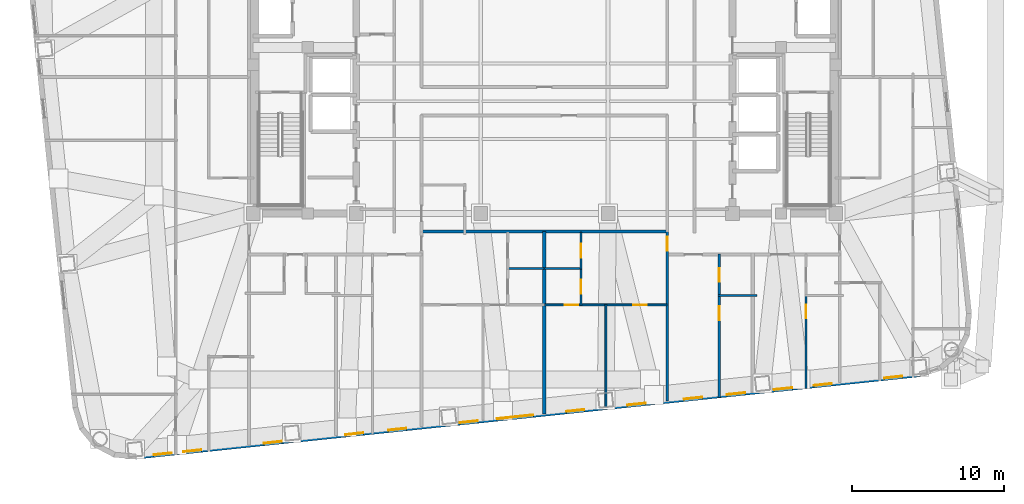
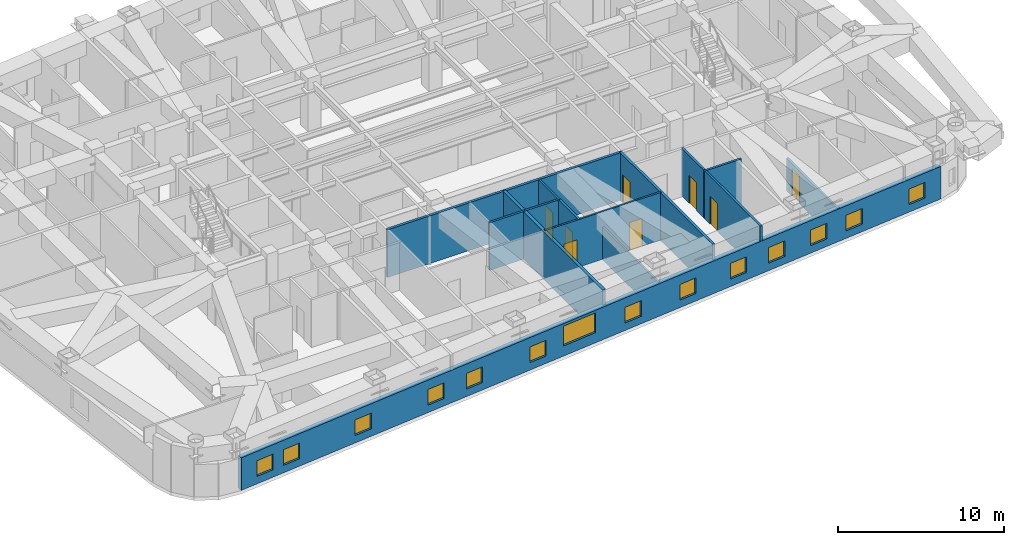
# One storey, part 6 of 13: 14 walls, 14 windows, 8 doors, 22 openings.
"""IFC4 building model written with IfcOpenShell, lengths in metres."""

from ifc_helpers import new_model, si_unit, direction, frame, frame_2d, origin, place, context, subcontext, project, spatial, rectangle, extrude, material, layer, layer_set, type_object, element, fill, save


model = new_model("IFC4")

# Units and contexts
model_context = context("Model", 3, precision=1e-05, world=origin(), true_north=direction((0.0, 1.0)))
body_context = subcontext(model_context, "Body", "Model", "MODEL_VIEW")
ifc_project = project(units=[si_unit("LENGTHUNIT", "METRE"), si_unit("AREAUNIT", "SQUARE_METRE"), si_unit("VOLUMEUNIT", "CUBIC_METRE"), si_unit("PLANEANGLEUNIT", "RADIAN"), si_unit("MASSUNIT", "GRAM", prefix="KILO")], contexts=[model_context])

# Site, building, storey
site_placement = place(None, origin())
site = spatial("IfcSite", under=ifc_project, at=site_placement, CompositionType="ELEMENT")
building_placement = place(site_placement, origin())
building = spatial("IfcBuilding", under=site, at=building_placement, Name="Voryun Gate Residences", CompositionType="ELEMENT")
storey_placement = place(building_placement, frame((0.0, 0.0, 191.10009765625)))
storey = spatial("IfcBuildingStorey", under=building, at=storey_placement, Name="L47", CompositionType="ELEMENT", Elevation=191.10009765625)

# Wall
ifc_material_1 = material(Name="Gypsum acoustic fireboard")
ifc_layer_1 = layer(ifc_material_1, 0.179931640625, Name="W_CORR_RATED_180")
ifc_layer_set_1 = layer_set([ifc_layer_1], Name="Gypsum acoustic fireboard")
wall_type_1 = type_object("IfcWallType", Name="W_CORR_RATED_180", PredefinedType="PARTITIONING", material=ifc_layer_set_1)
wall_1_placement = place(storey_placement, frame((-8.14990234375, -8.590087890625, 0.0), z_axis=(0.0, 0.0, 1.0), x_axis=(1.0, 0.0, 0.0)))
element("IfcWall", 1, at=wall_1_placement, inside=storey, type_object=wall_type_1, Name="Partition wall WP-L47-Z2S", PredefinedType="PARTITIONING", context=body_context, shape_type="SweptSolid", body=[
    extrude(rectangle(XDim=16.2998046875, YDim=0.179931640625, at=frame_2d((8.14990234375, 0.0))), origin(), (0.0, 0.0, 1.0), 3.5),
])

# Wall, opening, door
wall_2_placement = place(storey_placement, frame((8.10009765625, -19.75390625, 0.0), z_axis=(0.0, 0.0, 1.0), x_axis=(0.0, 1.0, 0.0)))
wall_2 = element("IfcWall", 2, at=wall_2_placement, inside=storey, type_object=wall_type_1, Name="Partition wall WP-L47-SZV-2", PredefinedType="PARTITIONING", context=body_context, shape_type="SweptSolid", body=[
    extrude(rectangle(XDim=11.163818359375, YDim=0.179931640625, at=frame_2d((5.58203125, 0.0))), origin(), (0.0, 0.0, 1.0), 3.5),
])
opening_1_placement = place(wall_2_placement, frame((9.913330078125, 0.0, 0.0)))
opening_1 = element("IfcOpeningElement", 3, at=opening_1_placement, cuts=wall_2, Name="Opening D-INT-2", PredefinedType="OPENING", context=body_context, shape_type="SweptSolid", body=[
    extrude(rectangle(XDim=0.89990234375, YDim=2.050048828125, at=frame_2d((0.449951171875, 1.02490234375))), frame((0.0, 0.099853515625, 0.0), z_axis=(0.0, -1.0, 0.0), x_axis=(1.0, 0.0, 0.0)), (0.0, 0.0, 1.0), 0.199951171875),
])
ifc_material_2 = material(Name="Architectural oak veneer")
door_type = type_object("IfcDoorType", Name="DR_INT_BATH_900", OperationType="NOTDEFINED", PredefinedType="DOOR", material=ifc_material_2)
door_1_placement = place(opening_1_placement, origin())
door_1 = element("IfcDoor", 4, at=door_1_placement, inside=storey, type_object=door_type, Name="Door DR-L47-SZENT-2", OperationType="SINGLE_SWING_RIGHT", OverallHeight=2.050048828125, OverallWidth=0.89990234375, PredefinedType="DOOR", context=body_context, shape_type="SweptSolid", body=[
    extrude(rectangle(XDim=0.89990234375, YDim=2.050048828125, at=frame_2d((0.449951171875, 1.02490234375))), frame((0.0, 0.02490234375, 0.0), z_axis=(0.0, -1.0, 0.0), x_axis=(1.0, 0.0, 0.0)), (0.0, 0.0, 1.0), 0.050048828125),
])
fill(opening_1, door_1)

# Wall, openings, windows
ifc_material_3 = material(Name="Charcoal terracotta masonry", Category="masonry")
ifc_layer_2 = layer(ifc_material_3, 0.340087890625, Name="W_EXT_TERRACOTTA_340")
ifc_layer_set_2 = layer_set([ifc_layer_2], Name="Charcoal terracotta masonry")
wall_type_2 = type_object("IfcWallType", Name="W_EXT_TERRACOTTA_340", PredefinedType="ELEMENTEDWALL", material=ifc_layer_set_2)
wall_3_placement = place(storey_placement, frame((24.755615234375, -18.003173828125, 0.0), z_axis=(0.0, 0.0, 1.0), x_axis=(-0.99452160744, -0.104531202687, 0.0)))
wall_3 = element("IfcWall", 5, at=wall_3_placement, inside=storey, type_object=wall_type_2, Name="Exterior wall WEXT-L47-01", PredefinedType="ELEMENTEDWALL", context=body_context, shape_type="SweptSolid", body=[
    extrude(rectangle(XDim=51.966552734375, YDim=0.340087890625, at=frame_2d((25.9833984375, 0.0))), origin(), (0.0, 0.0, 1.0), 2.389892578125),
])
opening_2_placement = place(wall_3_placement, frame((25.63330078125, 0.0, 0.75)))
opening_2 = element("IfcOpeningElement", 6, at=opening_2_placement, cuts=wall_3, Name="Opening WN2", PredefinedType="OPENING", context=body_context, shape_type="SweptSolid", body=[
    extrude(rectangle(XDim=2.39990234375, YDim=1.449951171875, at=frame_2d((1.199951171875, 0.72509765625))), frame((0.0, 0.179931640625, 0.0), z_axis=(0.0, -1.0, 0.0), x_axis=(1.0, 0.0, 0.0)), (0.0, 0.0, 1.0), 0.360107421875),
])
opening_3_placement = place(wall_3_placement, frame((42.301025390625, 0.0, 0.550048828125)))
opening_3 = element("IfcOpeningElement", 7, at=opening_3_placement, cuts=wall_3, Name="Opening WN6", PredefinedType="OPENING", context=body_context, shape_type="SweptSolid", body=[
    extrude(rectangle(XDim=1.199951171875, YDim=1.14990234375, at=frame_2d((0.60009765625, 0.574951171875))), frame((0.0, 0.179931640625, 0.0), z_axis=(0.0, -1.0, 0.0), x_axis=(1.0, 0.0, 0.0)), (0.0, 0.0, 1.0), 0.360107421875),
])
opening_4_placement = place(wall_3_placement, frame((34.048583984375, 0.0, 0.550048828125)))
opening_4 = element("IfcOpeningElement", 8, at=opening_4_placement, cuts=wall_3, Name="Opening WN6", PredefinedType="OPENING", context=body_context, shape_type="SweptSolid", body=[
    extrude(rectangle(XDim=1.199951171875, YDim=1.14990234375, at=frame_2d((0.60009765625, 0.574951171875))), frame((0.0, 0.179931640625, 0.0), z_axis=(0.0, -1.0, 0.0), x_axis=(1.0, 0.0, 0.0)), (0.0, 0.0, 1.0), 0.360107421875),
])
opening_5_placement = place(wall_3_placement, frame((36.89404296875, 0.0, 0.550048828125)))
opening_5 = element("IfcOpeningElement", 9, at=opening_5_placement, cuts=wall_3, Name="Opening WN6", PredefinedType="OPENING", context=body_context, shape_type="SweptSolid", body=[
    extrude(rectangle(XDim=1.199951171875, YDim=1.14990234375, at=frame_2d((0.60009765625, 0.574951171875))), frame((0.0, 0.179931640625, 0.0), z_axis=(0.0, -1.0, 0.0), x_axis=(1.0, 0.0, 0.0)), (0.0, 0.0, 1.0), 0.360107421875),
])
opening_6_placement = place(wall_3_placement, frame((14.43603515625, 0.0, 0.550048828125)))
opening_6 = element("IfcOpeningElement", 10, at=opening_6_placement, cuts=wall_3, Name="Opening WN6", PredefinedType="OPENING", context=body_context, shape_type="SweptSolid", body=[
    extrude(rectangle(XDim=1.199951171875, YDim=1.14990234375, at=frame_2d((0.60009765625, 0.574951171875))), frame((0.0, 0.179931640625, 0.0), z_axis=(0.0, -1.0, 0.0), x_axis=(1.0, 0.0, 0.0)), (0.0, 0.0, 1.0), 0.360107421875),
])
opening_7_placement = place(wall_3_placement, frame((11.590576171875, 0.0, 0.550048828125)))
opening_7 = element("IfcOpeningElement", 11, at=opening_7_placement, cuts=wall_3, Name="Opening WN6", PredefinedType="OPENING", context=body_context, shape_type="SweptSolid", body=[
    extrude(rectangle(XDim=1.199951171875, YDim=1.14990234375, at=frame_2d((0.60009765625, 0.574951171875))), frame((0.0, 0.179931640625, 0.0), z_axis=(0.0, -1.0, 0.0), x_axis=(1.0, 0.0, 0.0)), (0.0, 0.0, 1.0), 0.360107421875),
])
opening_8_placement = place(wall_3_placement, frame((8.46923828125, 0.0, 0.550048828125)))
opening_8 = element("IfcOpeningElement", 12, at=opening_8_placement, cuts=wall_3, Name="Opening WN6", PredefinedType="OPENING", context=body_context, shape_type="SweptSolid", body=[
    extrude(rectangle(XDim=1.199951171875, YDim=1.14990234375, at=frame_2d((0.60009765625, 0.574951171875))), frame((0.0, 0.179931640625, 0.0), z_axis=(0.0, -1.0, 0.0), x_axis=(1.0, 0.0, 0.0)), (0.0, 0.0, 1.0), 0.360107421875),
])
opening_9_placement = place(wall_3_placement, frame((5.83349609375, 0.0, 0.550048828125)))
opening_9 = element("IfcOpeningElement", 13, at=opening_9_placement, cuts=wall_3, Name="Opening WN6", PredefinedType="OPENING", context=body_context, shape_type="SweptSolid", body=[
    extrude(rectangle(XDim=1.199951171875, YDim=1.14990234375, at=frame_2d((0.60009765625, 0.574951171875))), frame((0.0, 0.179931640625, 0.0), z_axis=(0.0, -1.0, 0.0), x_axis=(1.0, 0.0, 0.0)), (0.0, 0.0, 1.0), 0.360107421875),
])
opening_10_placement = place(wall_3_placement, frame((29.31298828125, 0.0, 0.550048828125)))
opening_10 = element("IfcOpeningElement", 14, at=opening_10_placement, cuts=wall_3, Name="Opening WN6", PredefinedType="OPENING", context=body_context, shape_type="SweptSolid", body=[
    extrude(rectangle(XDim=1.199951171875, YDim=1.14990234375, at=frame_2d((0.60009765625, 0.574951171875))), frame((0.0, 0.179931640625, 0.0), z_axis=(0.0, -1.0, 0.0), x_axis=(1.0, 0.0, 0.0)), (0.0, 0.0, 1.0), 0.360107421875),
])
opening_11_placement = place(wall_3_placement, frame((22.248291015625, 0.0, 0.550048828125)))
opening_11 = element("IfcOpeningElement", 15, at=opening_11_placement, cuts=wall_3, Name="Opening WN6", PredefinedType="OPENING", context=body_context, shape_type="SweptSolid", body=[
    extrude(rectangle(XDim=1.199951171875, YDim=1.14990234375, at=frame_2d((0.60009765625, 0.574951171875))), frame((0.0, 0.179931640625, 0.0), z_axis=(0.0, -1.0, 0.0), x_axis=(1.0, 0.0, 0.0)), (0.0, 0.0, 1.0), 0.360107421875),
])
opening_12_placement = place(wall_3_placement, frame((18.18603515625, 0.0, 0.550048828125)))
opening_12 = element("IfcOpeningElement", 16, at=opening_12_placement, cuts=wall_3, Name="Opening WN6", PredefinedType="OPENING", context=body_context, shape_type="SweptSolid", body=[
    extrude(rectangle(XDim=1.199951171875, YDim=1.14990234375, at=frame_2d((0.60009765625, 0.574951171875))), frame((0.0, 0.179931640625, 0.0), z_axis=(0.0, -1.0, 0.0), x_axis=(1.0, 0.0, 0.0)), (0.0, 0.0, 1.0), 0.360107421875),
])
opening_13_placement = place(wall_3_placement, frame((47.62744140625, 0.0, 0.550048828125)))
opening_13 = element("IfcOpeningElement", 17, at=opening_13_placement, cuts=wall_3, Name="Opening WN6", PredefinedType="OPENING", context=body_context, shape_type="SweptSolid", body=[
    extrude(rectangle(XDim=1.199951171875, YDim=1.14990234375, at=frame_2d((0.60009765625, 0.574951171875))), frame((0.0, 0.179931640625, 0.0), z_axis=(0.0, -1.0, 0.0), x_axis=(1.0, 0.0, 0.0)), (0.0, 0.0, 1.0), 0.360107421875),
])
opening_14_placement = place(wall_3_placement, frame((49.5986328125, 0.0, 0.550048828125)))
opening_14 = element("IfcOpeningElement", 18, at=opening_14_placement, cuts=wall_3, Name="Opening WN6", PredefinedType="OPENING", context=body_context, shape_type="SweptSolid", body=[
    extrude(rectangle(XDim=1.199951171875, YDim=1.14990234375, at=frame_2d((0.60009765625, 0.574951171875))), frame((0.0, 0.179931640625, 0.0), z_axis=(0.0, -1.0, 0.0), x_axis=(1.0, 0.0, 0.0)), (0.0, 0.0, 1.0), 0.360107421875),
])
opening_15_placement = place(wall_3_placement, frame((1.170166015625, 0.0, 0.550048828125)))
opening_15 = element("IfcOpeningElement", 19, at=opening_15_placement, cuts=wall_3, Name="Opening WN6", PredefinedType="OPENING", context=body_context, shape_type="SweptSolid", body=[
    extrude(rectangle(XDim=1.199951171875, YDim=1.14990234375, at=frame_2d((0.60009765625, 0.574951171875))), frame((0.0, 0.179931640625, 0.0), z_axis=(0.0, -1.0, 0.0), x_axis=(1.0, 0.0, 0.0)), (0.0, 0.0, 1.0), 0.360107421875),
])
ifc_material_4 = material(Name="Laminated low-E glass", Category="glass")
window_type_1 = type_object("IfcWindowType", Name="WN_POD_SLOT_1200", PartitioningType="SINGLE_PANEL", PredefinedType="WINDOW", material=ifc_material_4)
window_1_placement = place(opening_3_placement, origin())
window_1 = element("IfcWindow", 20, at=window_1_placement, inside=storey, type_object=window_type_1, Name="Window WN-L47-DWFIX-10", OverallHeight=1.14990234375, OverallWidth=1.199951171875, PartitioningType="SINGLE_PANEL", PredefinedType="WINDOW", context=body_context, shape_type="SweptSolid", body=[
    extrude(rectangle(XDim=1.199951171875, YDim=1.14990234375, at=frame_2d((0.60009765625, 0.574951171875))), frame((0.0, 0.030029296875, 0.0), z_axis=(0.0, -1.0, 0.0), x_axis=(1.0, 0.0, 0.0)), (0.0, 0.0, 1.0), 0.06005859375),
])
fill(opening_3, window_1)
window_2_placement = place(opening_4_placement, origin())
window_2 = element("IfcWindow", 21, at=window_2_placement, inside=storey, type_object=window_type_1, Name="Window WN-L47-DWFIX-11", OverallHeight=1.14990234375, OverallWidth=1.199951171875, PartitioningType="SINGLE_PANEL", PredefinedType="WINDOW", context=body_context, shape_type="SweptSolid", body=[
    extrude(rectangle(XDim=1.199951171875, YDim=1.14990234375, at=frame_2d((0.60009765625, 0.574951171875))), frame((0.0, 0.030029296875, 0.0), z_axis=(0.0, -1.0, 0.0), x_axis=(1.0, 0.0, 0.0)), (0.0, 0.0, 1.0), 0.06005859375),
])
fill(opening_4, window_2)
window_3_placement = place(opening_5_placement, origin())
window_3 = element("IfcWindow", 22, at=window_3_placement, inside=storey, type_object=window_type_1, Name="Window WN-L47-DWFIX-12", OverallHeight=1.14990234375, OverallWidth=1.199951171875, PartitioningType="SINGLE_PANEL", PredefinedType="WINDOW", context=body_context, shape_type="SweptSolid", body=[
    extrude(rectangle(XDim=1.199951171875, YDim=1.14990234375, at=frame_2d((0.60009765625, 0.574951171875))), frame((0.0, 0.030029296875, 0.0), z_axis=(0.0, -1.0, 0.0), x_axis=(1.0, 0.0, 0.0)), (0.0, 0.0, 1.0), 0.06005859375),
])
fill(opening_5, window_3)
window_4_placement = place(opening_6_placement, origin())
window_4 = element("IfcWindow", 23, at=window_4_placement, inside=storey, type_object=window_type_1, Name="Window WN-L47-DWFIX-13", OverallHeight=1.14990234375, OverallWidth=1.199951171875, PartitioningType="SINGLE_PANEL", PredefinedType="WINDOW", context=body_context, shape_type="SweptSolid", body=[
    extrude(rectangle(XDim=1.199951171875, YDim=1.14990234375, at=frame_2d((0.60009765625, 0.574951171875))), frame((0.0, 0.030029296875, 0.0), z_axis=(0.0, -1.0, 0.0), x_axis=(1.0, 0.0, 0.0)), (0.0, 0.0, 1.0), 0.06005859375),
])
fill(opening_6, window_4)
window_5_placement = place(opening_7_placement, origin())
window_5 = element("IfcWindow", 24, at=window_5_placement, inside=storey, type_object=window_type_1, Name="Window WN-L47-DWFIX-14", OverallHeight=1.14990234375, OverallWidth=1.199951171875, PartitioningType="SINGLE_PANEL", PredefinedType="WINDOW", context=body_context, shape_type="SweptSolid", body=[
    extrude(rectangle(XDim=1.199951171875, YDim=1.14990234375, at=frame_2d((0.60009765625, 0.574951171875))), frame((0.0, 0.030029296875, 0.0), z_axis=(0.0, -1.0, 0.0), x_axis=(1.0, 0.0, 0.0)), (0.0, 0.0, 1.0), 0.06005859375),
])
fill(opening_7, window_5)
window_6_placement = place(opening_8_placement, origin())
window_6 = element("IfcWindow", 25, at=window_6_placement, inside=storey, type_object=window_type_1, Name="Window WN-L47-DWFIX-15", OverallHeight=1.14990234375, OverallWidth=1.199951171875, PartitioningType="SINGLE_PANEL", PredefinedType="WINDOW", context=body_context, shape_type="SweptSolid", body=[
    extrude(rectangle(XDim=1.199951171875, YDim=1.14990234375, at=frame_2d((0.60009765625, 0.574951171875))), frame((0.0, 0.030029296875, 0.0), z_axis=(0.0, -1.0, 0.0), x_axis=(1.0, 0.0, 0.0)), (0.0, 0.0, 1.0), 0.06005859375),
])
fill(opening_8, window_6)
window_7_placement = place(opening_9_placement, origin())
window_7 = element("IfcWindow", 26, at=window_7_placement, inside=storey, type_object=window_type_1, Name="Window WN-L47-DWFIX-16", OverallHeight=1.14990234375, OverallWidth=1.199951171875, PartitioningType="SINGLE_PANEL", PredefinedType="WINDOW", context=body_context, shape_type="SweptSolid", body=[
    extrude(rectangle(XDim=1.199951171875, YDim=1.14990234375, at=frame_2d((0.60009765625, 0.574951171875))), frame((0.0, 0.030029296875, 0.0), z_axis=(0.0, -1.0, 0.0), x_axis=(1.0, 0.0, 0.0)), (0.0, 0.0, 1.0), 0.06005859375),
])
fill(opening_9, window_7)
window_8_placement = place(opening_10_placement, origin())
window_8 = element("IfcWindow", 27, at=window_8_placement, inside=storey, type_object=window_type_1, Name="Window WN-L47-DWFIX-17", OverallHeight=1.14990234375, OverallWidth=1.199951171875, PartitioningType="SINGLE_PANEL", PredefinedType="WINDOW", context=body_context, shape_type="SweptSolid", body=[
    extrude(rectangle(XDim=1.199951171875, YDim=1.14990234375, at=frame_2d((0.60009765625, 0.574951171875))), frame((0.0, 0.030029296875, 0.0), z_axis=(0.0, -1.0, 0.0), x_axis=(1.0, 0.0, 0.0)), (0.0, 0.0, 1.0), 0.06005859375),
])
fill(opening_10, window_8)
window_9_placement = place(opening_11_placement, origin())
window_9 = element("IfcWindow", 28, at=window_9_placement, inside=storey, type_object=window_type_1, Name="Window WN-L47-DWFIX-18", OverallHeight=1.14990234375, OverallWidth=1.199951171875, PartitioningType="SINGLE_PANEL", PredefinedType="WINDOW", context=body_context, shape_type="SweptSolid", body=[
    extrude(rectangle(XDim=1.199951171875, YDim=1.14990234375, at=frame_2d((0.60009765625, 0.574951171875))), frame((0.0, 0.030029296875, 0.0), z_axis=(0.0, -1.0, 0.0), x_axis=(1.0, 0.0, 0.0)), (0.0, 0.0, 1.0), 0.06005859375),
])
fill(opening_11, window_9)
window_10_placement = place(opening_12_placement, origin())
window_10 = element("IfcWindow", 29, at=window_10_placement, inside=storey, type_object=window_type_1, Name="Window WN-L47-DWFIX-19", OverallHeight=1.14990234375, OverallWidth=1.199951171875, PartitioningType="SINGLE_PANEL", PredefinedType="WINDOW", context=body_context, shape_type="SweptSolid", body=[
    extrude(rectangle(XDim=1.199951171875, YDim=1.14990234375, at=frame_2d((0.60009765625, 0.574951171875))), frame((0.0, 0.030029296875, 0.0), z_axis=(0.0, -1.0, 0.0), x_axis=(1.0, 0.0, 0.0)), (0.0, 0.0, 1.0), 0.06005859375),
])
fill(opening_12, window_10)
window_11_placement = place(opening_13_placement, origin())
window_11 = element("IfcWindow", 30, at=window_11_placement, inside=storey, type_object=window_type_1, Name="Window WN-L47-DWFIX-20", OverallHeight=1.14990234375, OverallWidth=1.199951171875, PartitioningType="SINGLE_PANEL", PredefinedType="WINDOW", context=body_context, shape_type="SweptSolid", body=[
    extrude(rectangle(XDim=1.199951171875, YDim=1.14990234375, at=frame_2d((0.60009765625, 0.574951171875))), frame((0.0, 0.030029296875, 0.0), z_axis=(0.0, -1.0, 0.0), x_axis=(1.0, 0.0, 0.0)), (0.0, 0.0, 1.0), 0.06005859375),
])
fill(opening_13, window_11)
window_12_placement = place(opening_14_placement, origin())
window_12 = element("IfcWindow", 31, at=window_12_placement, inside=storey, type_object=window_type_1, Name="Window WN-L47-DWFIX-22", OverallHeight=1.14990234375, OverallWidth=1.199951171875, PartitioningType="SINGLE_PANEL", PredefinedType="WINDOW", context=body_context, shape_type="SweptSolid", body=[
    extrude(rectangle(XDim=1.199951171875, YDim=1.14990234375, at=frame_2d((0.60009765625, 0.574951171875))), frame((0.0, 0.030029296875, 0.0), z_axis=(0.0, -1.0, 0.0), x_axis=(1.0, 0.0, 0.0)), (0.0, 0.0, 1.0), 0.06005859375),
])
fill(opening_14, window_12)
window_13_placement = place(opening_15_placement, origin())
window_13 = element("IfcWindow", 32, at=window_13_placement, inside=storey, type_object=window_type_1, Name="Window WN-L47-DWFIX-26", OverallHeight=1.14990234375, OverallWidth=1.199951171875, PartitioningType="SINGLE_PANEL", PredefinedType="WINDOW", context=body_context, shape_type="SweptSolid", body=[
    extrude(rectangle(XDim=1.199951171875, YDim=1.14990234375, at=frame_2d((0.60009765625, 0.574951171875))), frame((0.0, 0.030029296875, 0.0), z_axis=(0.0, -1.0, 0.0), x_axis=(1.0, 0.0, 0.0)), (0.0, 0.0, 1.0), 0.06005859375),
])
fill(opening_15, window_13)
ifc_material_5 = material(Name="Laminated low-E glass", Category="glass")
window_type_2 = type_object("IfcWindowType", Name="WN_RES_WIDE_2400", PartitioningType="SINGLE_PANEL", PredefinedType="WINDOW", material=ifc_material_5)
window_14_placement = place(opening_2_placement, origin())
window_14 = element("IfcWindow", 33, at=window_14_placement, inside=storey, type_object=window_type_2, Name="Window WN-WEXT-L47-01-02", OverallHeight=1.449951171875, OverallWidth=2.39990234375, PartitioningType="SINGLE_PANEL", PredefinedType="WINDOW", context=body_context, shape_type="SweptSolid", body=[
    extrude(rectangle(XDim=2.39990234375, YDim=1.449951171875, at=frame_2d((1.199951171875, 0.72509765625))), frame((0.0, 0.030029296875, 0.0), z_axis=(0.0, -1.0, 0.0), x_axis=(1.0, 0.0, 0.0)), (0.0, 0.0, 1.0), 0.06005859375),
])
fill(opening_2, window_14)

# Wall
ifc_material_6 = material(Name="Concrete C40/50", Category="concrete")
ifc_layer_3 = layer(ifc_material_6, 0.219970703125, Name="W_PARTY_ACOUSTIC_220")
ifc_layer_set_3 = layer_set([ifc_layer_3], Name="Concrete C40/50")
wall_type_3 = type_object("IfcWallType", Name="W_PARTY_ACOUSTIC_220", PredefinedType="PARTITIONING", material=ifc_layer_set_3)
wall_4_placement = place(storey_placement, frame((0.0, -20.60498046875, 0.0), z_axis=(0.0, 0.0, 1.0), x_axis=(0.0, 1.0, 0.0)))
element("IfcWall", 34, at=wall_4_placement, inside=storey, type_object=wall_type_3, Name="Partition wall WP-L47-SZMID", PredefinedType="PARTITIONING", context=body_context, shape_type="SweptSolid", body=[
    extrude(rectangle(XDim=12.014892578125, YDim=0.219970703125, at=frame_2d((6.00732421875, 0.0))), origin(), (0.0, 0.0, 1.0), 3.5),
])

# Wall, openings, doors
ifc_material_7 = material(Name="Gypsum acoustic partition")
ifc_layer_4 = layer(ifc_material_7, 0.125, Name="W_UNIT_PART_125")
ifc_layer_set_4 = layer_set([ifc_layer_4], Name="Gypsum acoustic partition")
wall_type_4 = type_object("IfcWallType", Name="W_UNIT_PART_125", PredefinedType="PARTITIONING", material=ifc_layer_set_4)
wall_5_placement = place(storey_placement, frame((0.02001953125, -13.429931640625, 0.0), z_axis=(0.0, 0.0, 1.0), x_axis=(1.0, 0.0, 0.0)))
wall_5 = element("IfcWall", 35, at=wall_5_placement, inside=storey, type_object=wall_type_4, Name="Partition wall WP-L47-SC2-HZ", PredefinedType="PARTITIONING", context=body_context, shape_type="SweptSolid", body=[
    extrude(rectangle(XDim=8.06005859375, YDim=0.125, at=frame_2d((4.030029296875, 0.0))), origin(), (0.0, 0.0, 1.0), 3.5),
])
opening_16_placement = place(wall_5_placement, frame((1.3232421875, 0.0, 0.0)))
opening_16 = element("IfcOpeningElement", 36, at=opening_16_placement, cuts=wall_5, Name="Opening D-INT-2", PredefinedType="OPENING", context=body_context, shape_type="SweptSolid", body=[
    extrude(rectangle(XDim=0.89990234375, YDim=2.050048828125, at=frame_2d((0.449951171875, 1.02490234375))), frame((0.0, 0.072509765625, 0.0), z_axis=(0.0, -1.0, 0.0), x_axis=(1.0, 0.0, 0.0)), (0.0, 0.0, 1.0), 0.14501953125),
])
opening_17_placement = place(wall_5_placement, frame((5.8369140625, 0.0, 0.0)))
opening_17 = element("IfcOpeningElement", 37, at=opening_17_placement, cuts=wall_5, Name="Opening D-INT-2", PredefinedType="OPENING", context=body_context, shape_type="SweptSolid", body=[
    extrude(rectangle(XDim=0.89990234375, YDim=2.050048828125, at=frame_2d((0.449951171875, 1.02490234375))), frame((0.0, 0.072509765625, 0.0), z_axis=(0.0, -1.0, 0.0), x_axis=(1.0, 0.0, 0.0)), (0.0, 0.0, 1.0), 0.14501953125),
])
door_2_placement = place(opening_16_placement, origin())
door_2 = element("IfcDoor", 38, at=door_2_placement, inside=storey, type_object=door_type, Name="Door DR-L47-SC2-DMB", OperationType="SINGLE_SWING_LEFT", OverallHeight=2.050048828125, OverallWidth=0.89990234375, PredefinedType="DOOR", context=body_context, shape_type="SweptSolid", body=[
    extrude(rectangle(XDim=0.89990234375, YDim=2.050048828125, at=frame_2d((0.449951171875, 1.02490234375))), frame((0.0, 0.02490234375, 0.0), z_axis=(0.0, -1.0, 0.0), x_axis=(1.0, 0.0, 0.0)), (0.0, 0.0, 1.0), 0.050048828125),
])
fill(opening_16, door_2)
door_3_placement = place(opening_17_placement, origin())
door_3 = element("IfcDoor", 39, at=door_3_placement, inside=storey, type_object=door_type, Name="Door DR-L47-SC2-DBD2", OperationType="SINGLE_SWING_RIGHT", OverallHeight=2.050048828125, OverallWidth=0.89990234375, PredefinedType="DOOR", context=body_context, shape_type="SweptSolid", body=[
    extrude(rectangle(XDim=0.89990234375, YDim=2.050048828125, at=frame_2d((0.449951171875, 1.02490234375))), frame((0.0, 0.02490234375, 0.0), z_axis=(0.0, -1.0, 0.0), x_axis=(1.0, 0.0, 0.0)), (0.0, 0.0, 1.0), 0.050048828125),
])
fill(opening_17, door_3)

# Wall, opening, door
wall_6_placement = place(storey_placement, frame((2.409912109375, -11.06005859375, 0.0), z_axis=(0.0, 0.0, 1.0), x_axis=(0.0, 1.0, 0.0)))
wall_6 = element("IfcWall", 40, at=wall_6_placement, inside=storey, type_object=wall_type_4, Name="Partition wall WP-L47-SC2-VK1", PredefinedType="PARTITIONING", context=body_context, shape_type="SweptSolid", body=[
    extrude(rectangle(XDim=2.41015625, YDim=0.125, at=frame_2d((1.205078125, 0.0))), origin(), (0.0, 0.0, 1.0), 3.5),
])
opening_18_placement = place(wall_6_placement, frame((0.7548828125, 0.0, 0.0)))
opening_18 = element("IfcOpeningElement", 41, at=opening_18_placement, cuts=wall_6, Name="Opening D-INT-2", PredefinedType="OPENING", context=body_context, shape_type="SweptSolid", body=[
    extrude(rectangle(XDim=0.89990234375, YDim=2.050048828125, at=frame_2d((0.449951171875, 1.02490234375))), frame((0.0, 0.072509765625, 0.0), z_axis=(0.0, -1.0, 0.0), x_axis=(1.0, 0.0, 0.0)), (0.0, 0.0, 1.0), 0.14501953125),
])
door_4_placement = place(opening_18_placement, origin())
door_4 = element("IfcDoor", 42, at=door_4_placement, inside=storey, type_object=door_type, Name="Door DR-L47-SC2-DK", OperationType="SINGLE_SWING_LEFT", OverallHeight=2.050048828125, OverallWidth=0.89990234375, PredefinedType="DOOR", context=body_context, shape_type="SweptSolid", body=[
    extrude(rectangle(XDim=0.89990234375, YDim=2.050048828125, at=frame_2d((0.449951171875, 1.02490234375))), frame((0.0, 0.02490234375, 0.0), z_axis=(0.0, -1.0, 0.0), x_axis=(1.0, 0.0, 0.0)), (0.0, 0.0, 1.0), 0.050048828125),
])
fill(opening_18, door_4)

# Walls
wall_7_placement = place(storey_placement, frame((4.050048828125, -20.179443359375, 0.0), z_axis=(0.0, 0.0, 1.0), x_axis=(0.0, 1.0, 0.0)))
element("IfcWall", 43, at=wall_7_placement, inside=storey, type_object=wall_type_4, Name="Partition wall WP-L47-SC2-VBD", PredefinedType="PARTITIONING", context=body_context, shape_type="SweptSolid", body=[
    extrude(rectangle(XDim=6.78955078125, YDim=0.125, at=frame_2d((3.394775390625, 0.0))), origin(), (0.0, 0.0, 1.0), 2.389892578125),
])
ifc_material_8 = material(Name="Gypsum moisture-resistant partition")
ifc_layer_5 = layer(ifc_material_8, 0.14990234375, Name="W_WET_PLUMB_150")
ifc_layer_set_5 = layer_set([ifc_layer_5], Name="Gypsum moisture-resistant partition")
wall_type_5 = type_object("IfcWallType", Name="W_WET_PLUMB_150", PredefinedType="PLUMBINGWALL", material=ifc_layer_set_5)
wall_8_placement = place(storey_placement, frame((11.43896484375, -12.800048828125, 0.0), z_axis=(0.0, 0.0, 1.0), x_axis=(1.0, 0.0, 0.0)))
element("IfcWall", 44, at=wall_8_placement, inside=storey, type_object=wall_type_5, Name="Partition wall WP-L47-S4-SKB", PredefinedType="PLUMBINGWALL", context=body_context, shape_type="SweptSolid", body=[
    extrude(rectangle(XDim=2.56103515625, YDim=0.14990234375, at=frame_2d((1.280517578125, 0.0))), origin(), (0.0, 0.0, 1.0), 3.5),
])

# Wall, opening, door
wall_9_placement = place(storey_placement, frame((11.51904296875, -19.545166015625, 0.0), z_axis=(0.0, 0.0, 1.0), x_axis=(0.0, 1.0, 0.0)))
wall_9 = element("IfcWall", 45, at=wall_9_placement, inside=storey, type_object=wall_type_5, Name="Partition wall WP-L47-S4-SVT1", PredefinedType="PLUMBINGWALL", context=body_context, shape_type="SweptSolid", body=[
    extrude(rectangle(XDim=6.78515625, YDim=0.14990234375, at=frame_2d((3.392578125, 0.0))), origin(), (0.0, 0.0, 1.0), 3.5),
])
opening_19_placement = place(wall_9_placement, frame((5.114013671875, 0.0, 0.0)))
opening_19 = element("IfcOpeningElement", 46, at=opening_19_placement, cuts=wall_9, Name="Opening D-INT-2", PredefinedType="OPENING", context=body_context, shape_type="SweptSolid", body=[
    extrude(rectangle(XDim=0.89990234375, YDim=2.050048828125, at=frame_2d((0.449951171875, 1.02490234375))), frame((0.0, 0.0849609375, 0.0), z_axis=(0.0, -1.0, 0.0), x_axis=(1.0, 0.0, 0.0)), (0.0, 0.0, 1.0), 0.169921875),
])
door_5_placement = place(opening_19_placement, origin())
door_5 = element("IfcDoor", 47, at=door_5_placement, inside=storey, type_object=door_type, Name="Door DR-L47-S4-DK", OperationType="SINGLE_SWING_LEFT", OverallHeight=2.050048828125, OverallWidth=0.89990234375, PredefinedType="DOOR", context=body_context, shape_type="SweptSolid", body=[
    extrude(rectangle(XDim=0.89990234375, YDim=2.050048828125, at=frame_2d((0.449951171875, 1.02490234375))), frame((0.0, 0.02490234375, 0.0), z_axis=(0.0, -1.0, 0.0), x_axis=(1.0, 0.0, 0.0)), (0.0, 0.0, 1.0), 0.050048828125),
])
fill(opening_19, door_5)

wall_10_placement = place(storey_placement, frame((11.51904296875, -12.840087890625, 0.0), z_axis=(0.0, 0.0, 1.0), x_axis=(0.0, 1.0, 0.0)))
wall_10 = element("IfcWall", 48, at=wall_10_placement, inside=storey, type_object=wall_type_5, Name="Partition wall WP-L47-S4-SVT2", PredefinedType="PLUMBINGWALL", context=body_context, shape_type="SweptSolid", body=[
    extrude(rectangle(XDim=2.760009765625, YDim=0.14990234375, at=frame_2d((1.3798828125, 0.0))), origin(), (0.0, 0.0, 1.0), 3.5),
])
opening_20_placement = place(wall_10_placement, frame((0.929931640625, 0.0, 0.0)))
opening_20 = element("IfcOpeningElement", 49, at=opening_20_placement, cuts=wall_10, Name="Opening D-INT-2", PredefinedType="OPENING", context=body_context, shape_type="SweptSolid", body=[
    extrude(rectangle(XDim=0.89990234375, YDim=2.050048828125, at=frame_2d((0.449951171875, 1.02490234375))), frame((0.0, 0.0849609375, 0.0), z_axis=(0.0, -1.0, 0.0), x_axis=(1.0, 0.0, 0.0)), (0.0, 0.0, 1.0), 0.169921875),
])
door_6_placement = place(opening_20_placement, origin())
door_6 = element("IfcDoor", 50, at=door_6_placement, inside=storey, type_object=door_type, Name="Door DR-L47-S4-DB", OperationType="SINGLE_SWING_RIGHT", OverallHeight=2.050048828125, OverallWidth=0.89990234375, PredefinedType="DOOR", context=body_context, shape_type="SweptSolid", body=[
    extrude(rectangle(XDim=0.89990234375, YDim=2.050048828125, at=frame_2d((0.449951171875, 1.02490234375))), frame((0.0, 0.02490234375, 0.0), z_axis=(0.0, -1.0, 0.0), x_axis=(1.0, 0.0, 0.0)), (0.0, 0.0, 1.0), 0.050048828125),
])
fill(opening_20, door_6)

wall_11_placement = place(storey_placement, frame((17.25, -18.94287109375, 0.0), z_axis=(0.0, 0.0, 1.0), x_axis=(0.0, 1.0, 0.0)))
wall_11 = element("IfcWall", 51, at=wall_11_placement, inside=storey, type_object=wall_type_5, Name="Partition wall WP-L47-S5-SVT1", PredefinedType="PLUMBINGWALL", context=body_context, shape_type="SweptSolid", body=[
    extrude(rectangle(XDim=6.182861328125, YDim=0.14990234375, at=frame_2d((3.09130859375, 0.0))), origin(), (0.0, 0.0, 1.0), 2.389892578125),
])
opening_21_placement = place(wall_11_placement, frame((4.6201171875, 0.0, 0.0)))
opening_21 = element("IfcOpeningElement", 52, at=opening_21_placement, cuts=wall_11, Name="Opening D-INT-2", PredefinedType="OPENING", context=body_context, shape_type="SweptSolid", body=[
    extrude(rectangle(XDim=0.89990234375, YDim=2.050048828125, at=frame_2d((0.449951171875, 1.02490234375))), frame((0.0, 0.0849609375, 0.0), z_axis=(0.0, -1.0, 0.0), x_axis=(1.0, 0.0, 0.0)), (0.0, 0.0, 1.0), 0.169921875),
])
door_7_placement = place(opening_21_placement, origin())
door_7 = element("IfcDoor", 53, at=door_7_placement, inside=storey, type_object=door_type, Name="Door DR-L47-S5-DK", OperationType="SINGLE_SWING_LEFT", OverallHeight=2.050048828125, OverallWidth=0.89990234375, PredefinedType="DOOR", context=body_context, shape_type="SweptSolid", body=[
    extrude(rectangle(XDim=0.89990234375, YDim=2.050048828125, at=frame_2d((0.449951171875, 1.02490234375))), frame((0.0, 0.02490234375, 0.0), z_axis=(0.0, -1.0, 0.0), x_axis=(1.0, 0.0, 0.0)), (0.0, 0.0, 1.0), 0.050048828125),
])
fill(opening_21, door_7)

# Wall
wall_12_placement = place(storey_placement, frame((-2.449951171875, -11.030029296875, 0.0), z_axis=(0.0, 0.0, 1.0), x_axis=(1.0, 0.0, 0.0)))
element("IfcWall", 54, at=wall_12_placement, inside=storey, type_object=wall_type_5, Name="Partition wall WP-L47-SC1-HKB", PredefinedType="PLUMBINGWALL", context=body_context, shape_type="SweptSolid", body=[
    extrude(rectangle(XDim=2.429931640625, YDim=0.14990234375, at=frame_2d((1.21484375, 0.0))), origin(), (0.0, 0.0, 1.0), 3.5),
])

# Wall, opening, door
wall_13_placement = place(storey_placement, frame((2.409912109375, -13.469970703125, 0.0), z_axis=(0.0, 0.0, 1.0), x_axis=(0.0, 1.0, 0.0)))
wall_13 = element("IfcWall", 55, at=wall_13_placement, inside=storey, type_object=wall_type_5, Name="Partition wall WP-L47-SC2-VK2", PredefinedType="PLUMBINGWALL", context=body_context, shape_type="SweptSolid", body=[
    extrude(rectangle(XDim=2.469970703125, YDim=0.14990234375, at=frame_2d((1.23486328125, 0.0))), origin(), (0.0, 0.0, 1.0), 3.5),
])
opening_22_placement = place(wall_13_placement, frame((0.784912109375, 0.0, 0.0)))
opening_22 = element("IfcOpeningElement", 56, at=opening_22_placement, cuts=wall_13, Name="Opening D-INT-2", PredefinedType="OPENING", context=body_context, shape_type="SweptSolid", body=[
    extrude(rectangle(XDim=0.89990234375, YDim=2.050048828125, at=frame_2d((0.449951171875, 1.02490234375))), frame((0.0, 0.0849609375, 0.0), z_axis=(0.0, -1.0, 0.0), x_axis=(1.0, 0.0, 0.0)), (0.0, 0.0, 1.0), 0.169921875),
])
door_8_placement = place(opening_22_placement, origin())
door_8 = element("IfcDoor", 57, at=door_8_placement, inside=storey, type_object=door_type, Name="Door DR-L47-SC2-DB", OperationType="SINGLE_SWING_RIGHT", OverallHeight=2.050048828125, OverallWidth=0.89990234375, PredefinedType="DOOR", context=body_context, shape_type="SweptSolid", body=[
    extrude(rectangle(XDim=0.89990234375, YDim=2.050048828125, at=frame_2d((0.449951171875, 1.02490234375))), frame((0.0, 0.02490234375, 0.0), z_axis=(0.0, -1.0, 0.0), x_axis=(1.0, 0.0, 0.0)), (0.0, 0.0, 1.0), 0.050048828125),
])
fill(opening_22, door_8)

# Wall
wall_14_placement = place(storey_placement, frame((0.02001953125, -11.030029296875, 0.0), z_axis=(0.0, 0.0, 1.0), x_axis=(1.0, 0.0, 0.0)))
element("IfcWall", 58, at=wall_14_placement, inside=storey, type_object=wall_type_5, Name="Partition wall WP-L47-SC2-HKB", PredefinedType="PLUMBINGWALL", context=body_context, shape_type="SweptSolid", body=[
    extrude(rectangle(XDim=2.429931640625, YDim=0.14990234375, at=frame_2d((1.21484375, 0.0))), origin(), (0.0, 0.0, 1.0), 3.5),
])

save(model, "model.ifc")
